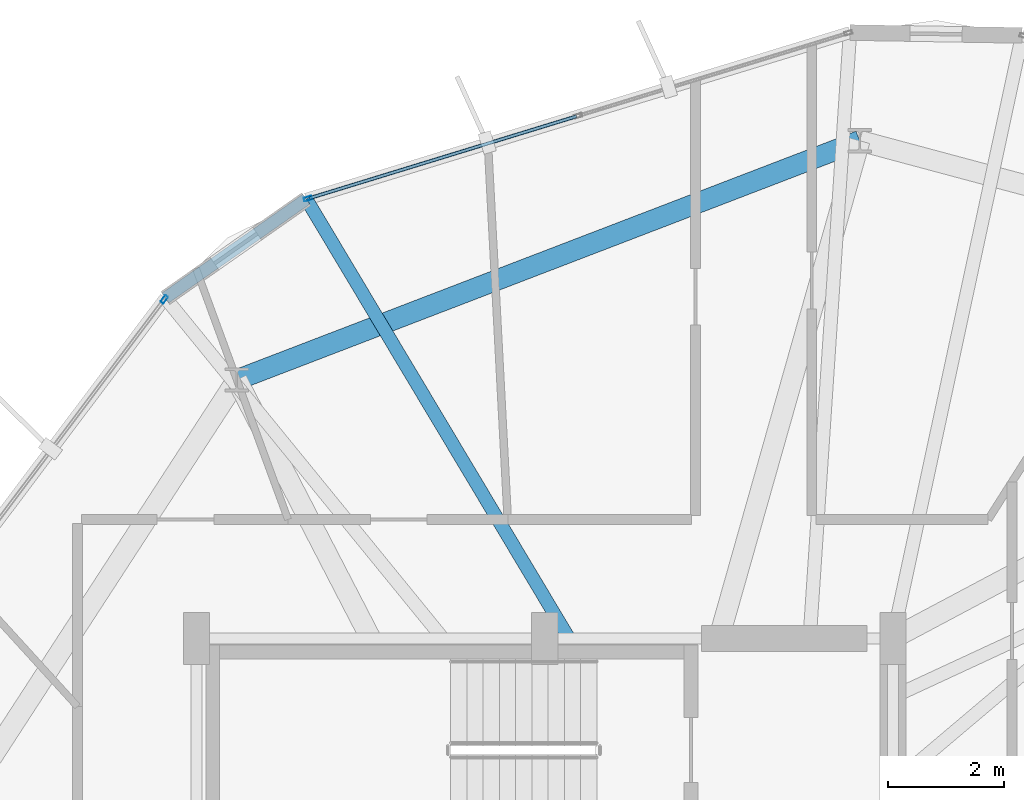
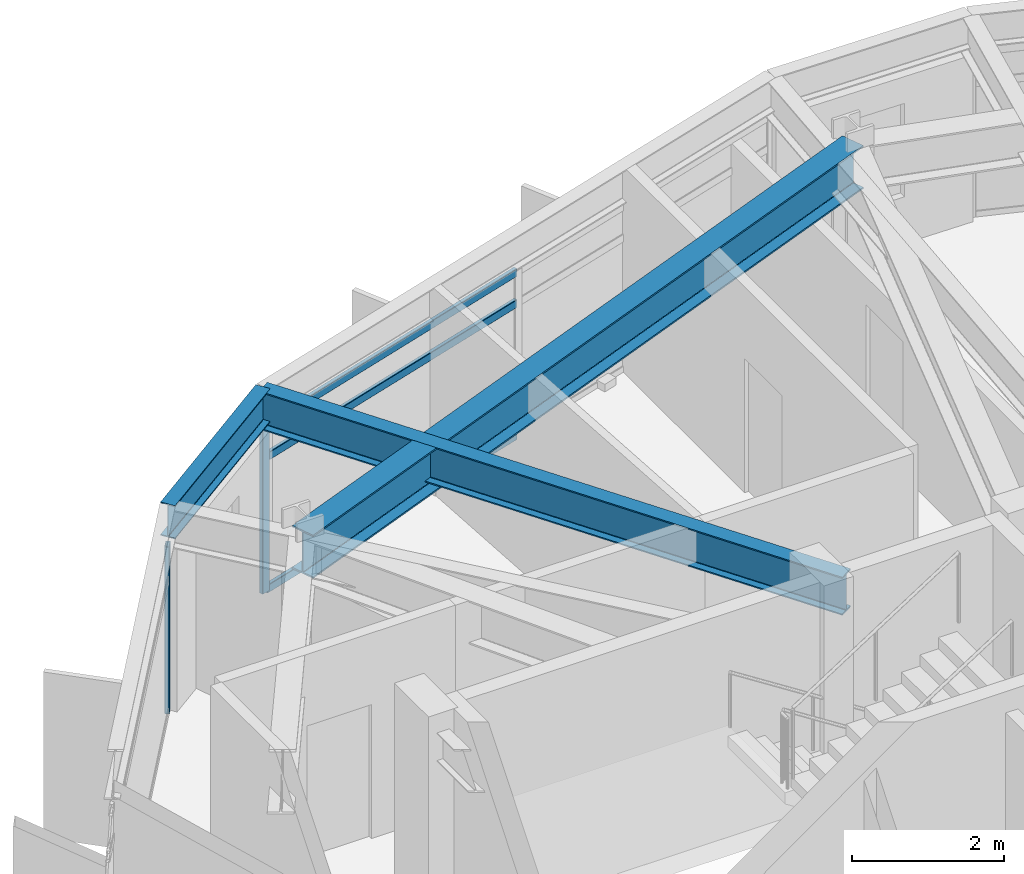
# One storey, part 16 of 29: 5 members, 3 beams, 2 elements without a shape of their own.
"""IFC4 building model written with IfcOpenShell, lengths in metres."""

from ifc_helpers import new_model, si_unit, direction, frame, origin, origin_2d, place, context, subcontext, project, spatial, hollow_rectangle, i_section, extrude, material, layer, layer_set, material_profile, profile_set, type_object, element, aggregate, save


model = new_model("IFC4")

# Units and contexts
model_context = context("Model", 3, precision=1e-05, world=origin(), true_north=direction((0.0, 1.0)))
body_context = subcontext(model_context, "Body", "Model", "MODEL_VIEW")
ifc_project = project(units=[si_unit("LENGTHUNIT", "METRE"), si_unit("AREAUNIT", "SQUARE_METRE"), si_unit("VOLUMEUNIT", "CUBIC_METRE"), si_unit("PLANEANGLEUNIT", "RADIAN"), si_unit("MASSUNIT", "GRAM", prefix="KILO")], contexts=[model_context])

# Site, building, storey
site_placement = place(None, origin())
site = spatial("IfcSite", under=ifc_project, at=site_placement, CompositionType="ELEMENT")
building_placement = place(site_placement, origin())
building = spatial("IfcBuilding", under=site, at=building_placement, Name="Soratama Intermodal Tower", CompositionType="ELEMENT")
storey_placement = place(building_placement, frame((0.0, 0.0, 226.60009765625)))
storey = spatial("IfcBuildingStorey", under=building, at=storey_placement, Name="L57", CompositionType="ELEMENT", Elevation=226.60009765625)

# Beams
ifc_material_1 = material(Name="Structural steel ASTM A992 Grade 50", Category="steel")
ifc_material_profile_1 = material_profile(ifc_material_1, i_section(OverallWidth=0.35498046875, OverallDepth=0.695068359375, WebThickness=0.015380859375, FlangeThickness=0.02490234375, FilletRadius=0.01611328125, at=origin_2d()), Name="W27X146")
ifc_profile_set_1 = profile_set([ifc_material_profile_1], Name="Structural steel ASTM A992 Grade 50")
beam_type_1 = type_object("IfcBeamType", Name="BM-RING-W27X146", PredefinedType="BEAM", material=ifc_profile_set_1)
beam_1_placement = place(storey_placement, frame((44.027099609375, 43.574951171875, 2.952392578125), z_axis=(-0.933575304305, -0.358381293026, 0.0), x_axis=(0.358381293026, -0.933575304305, 0.0)))
element("IfcBeam", 1, at=beam_1_placement, inside=storey, type_object=beam_type_1, Name="BM-L57-RING-03", PredefinedType="BEAM", context=body_context, shape_type="SweptSolid", body=[
    extrude(i_section(OverallWidth=0.35498046875, OverallDepth=0.695068359375, WebThickness=0.015380859375, FlangeThickness=0.02490234375, FilletRadius=0.01611328125, at=origin_2d()), origin(), (0.0, 0.0, 1.0), 11.495849609375),
])
ifc_material_2 = material(Name="Structural steel ASTM A992 Grade 50", Category="steel")
ifc_material_profile_2 = material_profile(ifc_material_2, i_section(OverallWidth=0.2099609375, OverallDepth=0.537109375, WebThickness=0.010986328125, FlangeThickness=0.017333984375, FilletRadius=0.012939453125, at=origin_2d()), Name="W21X68")
ifc_profile_set_2 = profile_set([ifc_material_profile_2], Name="Structural steel ASTM A992 Grade 50")
beam_type_2 = type_object("IfcBeamType", Name="BM-SPN-W21X68", PredefinedType="SPANDREL", material=ifc_profile_set_2)
beam_2_placement = place(storey_placement, frame((34.491943359375, 42.569091796875, 3.031494140625), z_axis=(-0.818779304738, -0.574108395804, 0.0), x_axis=(0.574108395804, -0.818779304738, 0.0)))
element("IfcBeam", 2, at=beam_2_placement, inside=storey, type_object=beam_type_2, Name="BS-L57-CRN02", PredefinedType="SPANDREL", context=body_context, shape_type="SweptSolid", body=[
    extrude(i_section(OverallWidth=0.2099609375, OverallDepth=0.537109375, WebThickness=0.010986328125, FlangeThickness=0.017333984375, FilletRadius=0.012939453125, at=origin_2d()), origin(), (0.0, 0.0, 1.0), 2.966552734375),
])
ifc_material_3 = material(Name="Structural steel ASTM A992 Grade 50", Category="steel")
ifc_material_profile_3 = material_profile(ifc_material_3, i_section(OverallWidth=0.22900390625, OverallDepth=0.612060546875, WebThickness=0.011962890625, FlangeThickness=0.01953125, FilletRadius=0.012939453125, at=origin_2d()), Name="W24X84")
ifc_profile_set_3 = profile_set([ifc_material_profile_3], Name="Structural steel ASTM A992 Grade 50")
beam_type_3 = type_object("IfcBeamType", Name="BM-TIE-W24X84", PredefinedType="BEAM", material=ifc_profile_set_3)
beam_3_placement = place(storey_placement, frame((38.998046875, 35.033935546875, 2.993896484375), z_axis=(-0.513239785118, 0.858245258054, 0.0), x_axis=(-0.858245258054, -0.513239785118, 0.0)))
element("IfcBeam", 3, at=beam_3_placement, inside=storey, type_object=beam_type_3, Name="BM-L57-TIE1-02", PredefinedType="BEAM", context=body_context, shape_type="SweptSolid", body=[
    extrude(i_section(OverallWidth=0.22900390625, OverallDepth=0.612060546875, WebThickness=0.011962890625, FlangeThickness=0.01953125, FilletRadius=0.012939453125, at=origin_2d()), origin(), (0.0, 0.0, 1.0), 8.77978515625),
])

# Curtain wall, member
ifc_material_4 = material(Name="Double-glazed aluminium curtain wall", Category="aluminium")
ifc_layer = layer(ifc_material_4, 0.159912109375)
ifc_layer_set = layer_set([ifc_layer], Name="Double-glazed aluminium curtain wall")
curtain_wall_type = type_object("IfcCurtainWallType", Name="CW-SYS-5", PredefinedType="NOTDEFINED", material=ifc_layer_set)
curtain_wall_1_placement = place(storey_placement, origin())
curtain_wall_1 = element("IfcCurtainWall", 4, at=curtain_wall_1_placement, inside=storey, type_object=curtain_wall_type, Name="L57 Faceted Curtain Wall F02", PredefinedType="NOTDEFINED")
ifc_material_5 = material(Name="Anodised aluminium AA 6063-T6", Category="aluminium")
ifc_material_profile_4 = material_profile(ifc_material_5, hollow_rectangle(XDim=0.06494140625, YDim=0.139892578125, WallThickness=0.0048828125, InnerFilletRadius=0.0048828125, OuterFilletRadius=0.010009765625, at=origin_2d()), Name="CWM140X65X5")
ifc_profile_set_4 = profile_set([ifc_material_profile_4], Name="Anodised aluminium AA 6063-T6")
member_type_1 = type_object("IfcMemberType", Name="MT-CWM-5", PredefinedType="MULLION", material=ifc_profile_set_4)
member_1_placement = place(storey_placement, frame((34.520263671875, 42.57763671875, 0.0), z_axis=(0.0, 0.0, 1.0), x_axis=(0.293040686331, -0.956099971841, 0.0)))
member_1 = element("IfcMember", 5, at=member_1_placement, type_object=member_type_1, Name="CW-5 mullion 3", PredefinedType="MULLION", context=body_context, shape_type="SweptSolid", body=[
    extrude(hollow_rectangle(XDim=0.06494140625, YDim=0.139892578125, WallThickness=0.0048828125, InnerFilletRadius=0.0048828125, OuterFilletRadius=0.010009765625, at=origin_2d()), origin(), (0.0, 0.0, 1.0), 2.678955078125),
])

curtain_wall_2_placement = place(storey_placement, origin())
curtain_wall_2 = element("IfcCurtainWall", 6, at=curtain_wall_2_placement, inside=storey, type_object=curtain_wall_type, Name="L57 Faceted Curtain Wall F03", PredefinedType="NOTDEFINED")
member_2_placement = place(storey_placement, frame((32.044677734375, 40.841796875, 0.0), z_axis=(0.0, 0.0, 1.0), x_axis=(0.799052254373, -0.601261585985, 0.0)))
member_2 = element("IfcMember", 7, at=member_2_placement, type_object=member_type_1, Name="CW-5 mullion 1", PredefinedType="MULLION", context=body_context, shape_type="SweptSolid", body=[
    extrude(hollow_rectangle(XDim=0.06494140625, YDim=0.139892578125, WallThickness=0.0048828125, InnerFilletRadius=0.0048828125, OuterFilletRadius=0.010009765625, at=origin_2d()), origin(), (0.0, 0.0, 1.0), 2.678955078125),
])
aggregate(curtain_wall_2, [member_2])

# Member
ifc_material_6 = material(Name="Anodised aluminium AA 6063-T6", Category="aluminium")
ifc_material_profile_5 = material_profile(ifc_material_6, hollow_rectangle(XDim=0.06005859375, YDim=0.1298828125, WallThickness=0.0048828125, InnerFilletRadius=0.0048828125, OuterFilletRadius=0.010009765625, at=origin_2d()), Name="CWT130X60X5")
ifc_profile_set_5 = profile_set([ifc_material_profile_5], Name="Anodised aluminium AA 6063-T6")
member_type_2 = type_object("IfcMemberType", Name="TT-CWT-2", PredefinedType="USERDEFINED", material=ifc_profile_set_5)
member_3_placement = place(storey_placement, frame((39.146484375, 43.99560546875, 0.02978515625), z_axis=(-0.956098977525, -0.293043930452, 0.0), x_axis=(0.293043930452, -0.956098977525, 0.0)))
member_3 = element("IfcMember", 8, at=member_3_placement, type_object=member_type_2, Name="CW-5 transom 2.1", ObjectType="TRANSOM", PredefinedType="USERDEFINED", context=body_context, shape_type="SweptSolid", body=[
    extrude(hollow_rectangle(XDim=0.06005859375, YDim=0.1298828125, WallThickness=0.0048828125, InnerFilletRadius=0.0048828125, OuterFilletRadius=0.010009765625, at=origin_2d()), origin(), (0.0, 0.0, 1.0), 4.808837890625),
])

member_4_placement = place(storey_placement, frame((39.146484375, 43.99560546875, 2.14990234375), z_axis=(-0.956098977525, -0.293043930452, 0.0), x_axis=(0.293043930452, -0.956098977525, 0.0)))
member_4 = element("IfcMember", 9, at=member_4_placement, type_object=member_type_2, Name="CW-5 transom 2.2", ObjectType="TRANSOM", PredefinedType="USERDEFINED", context=body_context, shape_type="SweptSolid", body=[
    extrude(hollow_rectangle(XDim=0.06005859375, YDim=0.1298828125, WallThickness=0.0048828125, InnerFilletRadius=0.0048828125, OuterFilletRadius=0.010009765625, at=origin_2d()), origin(), (0.0, 0.0, 1.0), 4.808837890625),
])

member_5_placement = place(storey_placement, frame((39.146484375, 43.99560546875, 2.64892578125), z_axis=(-0.956098977525, -0.293043930452, 0.0), x_axis=(0.293043930452, -0.956098977525, 0.0)))
member_5 = element("IfcMember", 10, at=member_5_placement, type_object=member_type_2, Name="CW-5 transom 2.3", ObjectType="TRANSOM", PredefinedType="USERDEFINED", context=body_context, shape_type="SweptSolid", body=[
    extrude(hollow_rectangle(XDim=0.06005859375, YDim=0.1298828125, WallThickness=0.0048828125, InnerFilletRadius=0.0048828125, OuterFilletRadius=0.010009765625, at=origin_2d()), origin(), (0.0, 0.0, 1.0), 4.808837890625),
])

aggregate(curtain_wall_1, [member_1, member_3, member_4, member_5])

save(model, "model.ifc")
